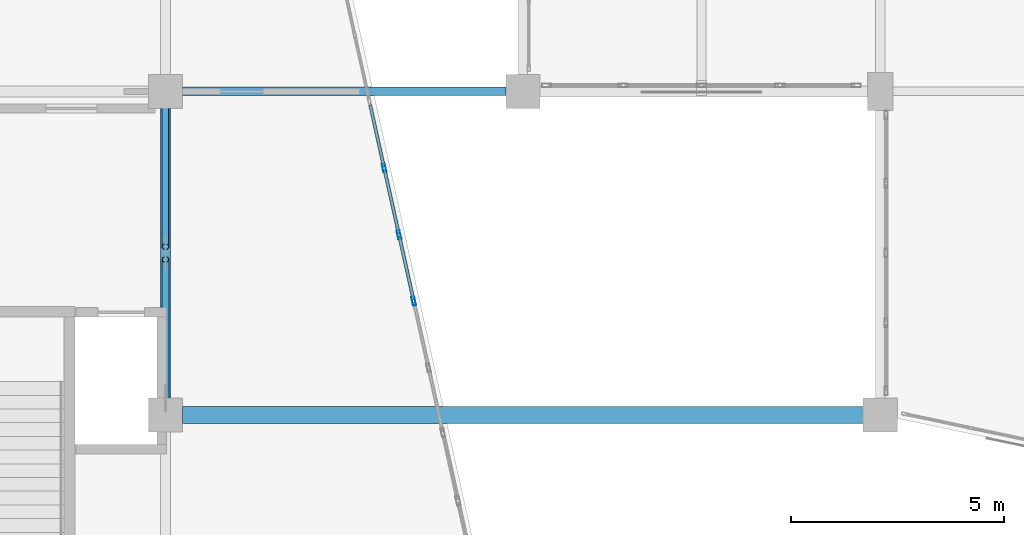
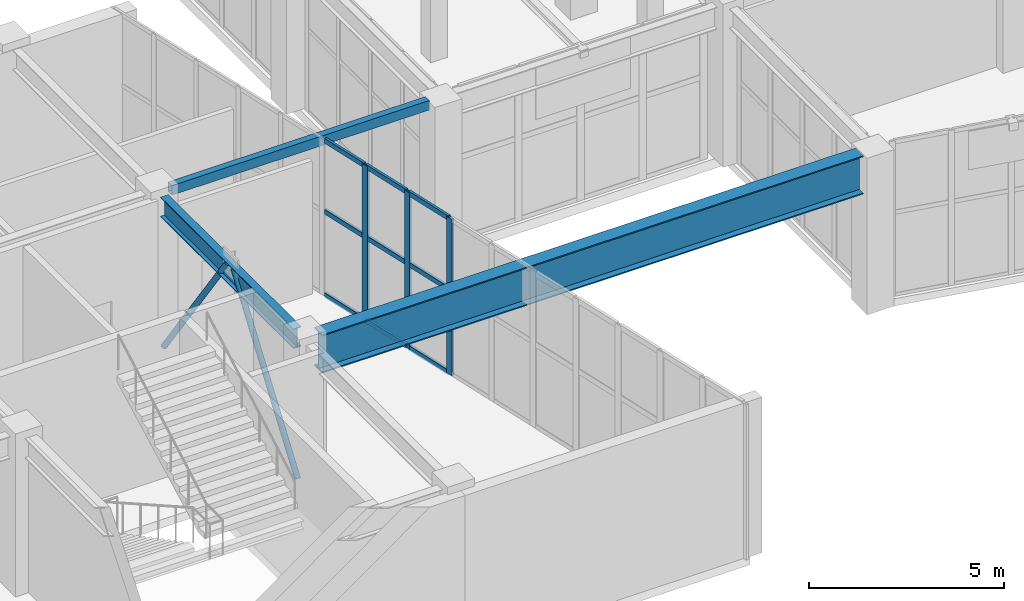
# One storey, part 11 of 128: 14 members, 3 beams, 1 element without a shape of its own.
"""IFC4 building model written with IfcOpenShell, lengths in metres."""

from ifc_helpers import new_model, si_unit, direction, frame, origin, origin_2d, place, context, subcontext, project, spatial, hollow_rectangle, hollow_circle, i_section, extrude, material, layer, layer_set, material_profile, profile_set, type_object, element, aggregate, save


model = new_model("IFC4")

# Units and contexts
model_context = context("Model", 3, precision=1e-05, world=origin(), true_north=direction((0.0, 1.0)))
body_context = subcontext(model_context, "Body", "Model", "MODEL_VIEW")
ifc_project = project(units=[si_unit("LENGTHUNIT", "METRE"), si_unit("AREAUNIT", "SQUARE_METRE"), si_unit("VOLUMEUNIT", "CUBIC_METRE"), si_unit("PLANEANGLEUNIT", "RADIAN"), si_unit("MASSUNIT", "GRAM", prefix="KILO")], contexts=[model_context])

# Site, building, storey
site_placement = place(None, origin())
site = spatial("IfcSite", under=ifc_project, at=site_placement, CompositionType="ELEMENT")
building_placement = place(site_placement, origin())
building = spatial("IfcBuilding", under=site, at=building_placement, Name="Xicomal Pleat Aquarium", CompositionType="ELEMENT")
storey_placement = place(building_placement, frame((0.0, 0.0, 5.39990234375)))
storey = spatial("IfcBuildingStorey", under=building, at=storey_placement, Name="L02", CompositionType="ELEMENT", Elevation=5.39990234375)

# Beams
ifc_material_1 = material(Name="Structural steel A992 Gr 50", Category="steel")
ifc_material_profile_1 = material_profile(ifc_material_1, i_section(OverallWidth=0.39990234375, OverallDepth=1.199951171875, WebThickness=0.02001953125, FlangeThickness=0.035888671875, at=origin_2d()), Name="IR 1200x412")
ifc_profile_set_1 = profile_set([ifc_material_profile_1], Name="Structural steel A992 Gr 50")
beam_type_1 = type_object("IfcBeamType", Name="BM-STL-IR1200", PredefinedType="BEAM", material=ifc_profile_set_1)
beam_1_placement = place(storey_placement, frame((35.794921875, 22.800048828125, 4.260009765625), z_axis=(1.0, 0.0, 0.0), x_axis=(0.0, 1.0, 0.0)))
element("IfcBeam", 1, at=beam_1_placement, inside=storey, type_object=beam_type_1, Name="L02 clear-span transfer girder FGX-L02-05-07-D", PredefinedType="BEAM", context=body_context, shape_type="SweptSolid", body=[
    extrude(i_section(OverallWidth=0.39990234375, OverallDepth=1.199951171875, WebThickness=0.02001953125, FlangeThickness=0.035888671875, at=origin_2d()), origin(), (0.0, 0.0, 1.0), 16.010009765625),
])
ifc_material_2 = material(Name="Structural steel A992 Gr 50", Category="steel")
ifc_material_profile_2 = material_profile(ifc_material_2, i_section(OverallWidth=0.22998046875, OverallDepth=0.616943359375, WebThickness=0.01318359375, FlangeThickness=0.022216796875, at=origin_2d()), Name="IR 610x140")
ifc_profile_set_2 = profile_set([ifc_material_profile_2], Name="Structural steel A992 Gr 50")
beam_type_2 = type_object("IfcBeamType", Name="BM-STL-IR610", PredefinedType="BEAM", material=ifc_profile_set_2)
beam_2_placement = place(storey_placement, frame((35.39990234375, 23.195068359375, 4.551513671875), z_axis=(0.0, 1.0, 0.0), x_axis=(-1.0, 0.0, 0.0)))
element("IfcBeam", 2, at=beam_2_placement, inside=storey, type_object=beam_type_2, Name="L02 framing beam FGY-L02-05-D-E", PredefinedType="BEAM", context=body_context, shape_type="SweptSolid", body=[
    extrude(i_section(OverallWidth=0.22998046875, OverallDepth=0.616943359375, WebThickness=0.01318359375, FlangeThickness=0.022216796875, at=origin_2d()), origin(), (0.0, 0.0, 1.0), 6.809814453125),
])
ifc_material_3 = material(Name="Structural steel A500 Gr C", Category="steel")
ifc_material_profile_3 = material_profile(ifc_material_3, hollow_rectangle(XDim=0.199951171875, YDim=0.300048828125, WallThickness=0.011962890625, at=origin_2d()), Name="OR 300x200x12")
ifc_profile_set_3 = profile_set([ifc_material_profile_3], Name="Structural steel A500 Gr C")
beam_type_3 = type_object("IfcBeamType", Name="BM-STL-OR300", PredefinedType="SPANDREL", material=ifc_profile_set_3)
beam_3_placement = place(storey_placement, frame((35.794921875, 30.39990234375, 4.710205078125), z_axis=(1.0, 0.0, 0.0), x_axis=(0.0, 1.0, 0.0)))
element("IfcBeam", 3, at=beam_3_placement, inside=storey, type_object=beam_type_3, Name="L02 framing beam FGX-L02-05-06-E", PredefinedType="SPANDREL", context=body_context, shape_type="SweptSolid", body=[
    extrude(hollow_rectangle(XDim=0.199951171875, YDim=0.300048828125, WallThickness=0.011962890625, at=origin_2d()), origin(), (0.0, 0.0, 1.0), 7.610107421875),
])

# Curtain wall, members
ifc_material_4 = material(Name="Bronze anodized aluminium 6063-T6", Category="aluminium")
ifc_layer = layer(ifc_material_4, 0.159912109375)
ifc_layer_set = layer_set([ifc_layer], Name="Bronze anodized aluminium 6063-T6")
curtain_wall_type = type_object("IfcCurtainWallType", Name="CW-SYS-07", PredefinedType="NOTDEFINED", material=ifc_layer_set)
curtain_wall_placement = place(storey_placement, origin())
curtain_wall = element("IfcCurtainWall", 4, at=curtain_wall_placement, inside=storey, type_object=curtain_wall_type, Name="L02 unitised curtain wall CW-L02-139", PredefinedType="NOTDEFINED")
ifc_material_5 = material(Name="Bronze anodized aluminium 6063-T6", Category="aluminium")
ifc_material_profile_4 = material_profile(ifc_material_5, hollow_rectangle(XDim=0.074951171875, YDim=0.199951171875, WallThickness=0.00439453125, at=origin_2d()), Name="ALU MULL 75x200")
ifc_profile_set_4 = profile_set([ifc_material_profile_4], Name="Bronze anodized aluminium 6063-T6")
member_type_1 = type_object("IfcMemberType", Name="CWM-75x200", PredefinedType="MULLION", material=ifc_profile_set_4)
member_1_placement = place(storey_placement, frame((40.542724609375, 28.59423828125, 0.0), z_axis=(0.0, 0.0, 1.0), x_axis=(0.976251689674, 0.216639420253, 0.0)))
member_1 = element("IfcMember", 5, at=member_1_placement, type_object=member_type_1, Name="CW-07 mullion 2", PredefinedType="MULLION", context=body_context, shape_type="SweptSolid", body=[
    extrude(hollow_rectangle(XDim=0.074951171875, YDim=0.199951171875, WallThickness=0.00439453125, at=origin_2d()), origin(), (0.0, 0.0, 1.0), 4.900146484375),
])
member_2_placement = place(storey_placement, frame((40.8896484375, 27.031494140625, 0.0), z_axis=(0.0, 0.0, 1.0), x_axis=(0.976251689674, 0.216639420253, 0.0)))
member_2 = element("IfcMember", 6, at=member_2_placement, type_object=member_type_1, Name="CW-07 mullion 3", PredefinedType="MULLION", context=body_context, shape_type="SweptSolid", body=[
    extrude(hollow_rectangle(XDim=0.074951171875, YDim=0.199951171875, WallThickness=0.00439453125, at=origin_2d()), origin(), (0.0, 0.0, 1.0), 4.900146484375),
])
member_3_placement = place(storey_placement, frame((41.236328125, 25.468505859375, 0.0), z_axis=(0.0, 0.0, 1.0), x_axis=(0.976251689674, 0.216639420253, 0.0)))
member_3 = element("IfcMember", 7, at=member_3_placement, type_object=member_type_1, Name="CW-07 mullion 4", PredefinedType="MULLION", context=body_context, shape_type="SweptSolid", body=[
    extrude(hollow_rectangle(XDim=0.074951171875, YDim=0.199951171875, WallThickness=0.00439453125, at=origin_2d()), origin(), (0.0, 0.0, 1.0), 4.900146484375),
])
ifc_material_6 = material(Name="Bronze anodized aluminium 6063-T6", Category="aluminium")
ifc_material_profile_5 = material_profile(ifc_material_6, hollow_rectangle(XDim=0.074951171875, YDim=0.14990234375, WallThickness=0.00439453125, at=origin_2d()), Name="ALU TRAN 75x150")
ifc_profile_set_5 = profile_set([ifc_material_profile_5], Name="Bronze anodized aluminium 6063-T6")
member_type_2 = type_object("IfcMemberType", Name="CWT-75x150", PredefinedType="USERDEFINED", material=ifc_profile_set_5)
member_4_placement = place(storey_placement, frame((40.212158203125, 30.083740234375, 0.03759765625), z_axis=(0.216704647644, -0.976237212817, 0.0), x_axis=(0.976237212817, 0.216704647644, 0.0)))
member_4 = element("IfcMember", 8, at=member_4_placement, type_object=member_type_2, Name="CW-07 transom 1.1", ObjectType="TRANSOM", PredefinedType="USERDEFINED", context=body_context, shape_type="SweptSolid", body=[
    extrude(hollow_rectangle(XDim=0.074951171875, YDim=0.14990234375, WallThickness=0.00439453125, at=origin_2d()), origin(), (0.0, 0.0, 1.0), 1.48828125),
])
member_5_placement = place(storey_placement, frame((40.212158203125, 30.083740234375, 2.64599609375), z_axis=(0.216704647644, -0.976237212817, 0.0), x_axis=(0.976237212817, 0.216704647644, 0.0)))
member_5 = element("IfcMember", 9, at=member_5_placement, type_object=member_type_2, Name="CW-07 transom 1.2", ObjectType="TRANSOM", PredefinedType="USERDEFINED", context=body_context, shape_type="SweptSolid", body=[
    extrude(hollow_rectangle(XDim=0.074951171875, YDim=0.14990234375, WallThickness=0.00439453125, at=origin_2d()), origin(), (0.0, 0.0, 1.0), 1.48828125),
])
member_6_placement = place(storey_placement, frame((40.212158203125, 30.083740234375, 4.862548828125), z_axis=(0.216704647644, -0.976237212817, 0.0), x_axis=(0.976237212817, 0.216704647644, 0.0)))
member_6 = element("IfcMember", 10, at=member_6_placement, type_object=member_type_2, Name="CW-07 transom 1.3", ObjectType="TRANSOM", PredefinedType="USERDEFINED", context=body_context, shape_type="SweptSolid", body=[
    extrude(hollow_rectangle(XDim=0.074951171875, YDim=0.14990234375, WallThickness=0.00439453125, at=origin_2d()), origin(), (0.0, 0.0, 1.0), 1.48828125),
])
member_7_placement = place(storey_placement, frame((40.55078125, 28.5576171875, 0.03759765625), z_axis=(0.216811861494, -0.976213407363, 0.0), x_axis=(0.976213407363, 0.216811861494, 0.0)))
member_7 = element("IfcMember", 11, at=member_7_placement, type_object=member_type_2, Name="CW-07 transom 2.1", ObjectType="TRANSOM", PredefinedType="USERDEFINED", context=body_context, shape_type="SweptSolid", body=[
    extrude(hollow_rectangle(XDim=0.074951171875, YDim=0.14990234375, WallThickness=0.00439453125, at=origin_2d()), origin(), (0.0, 0.0, 1.0), 1.52587890625),
])
member_8_placement = place(storey_placement, frame((40.55078125, 28.5576171875, 2.64599609375), z_axis=(0.216811861494, -0.976213407363, 0.0), x_axis=(0.976213407363, 0.216811861494, 0.0)))
member_8 = element("IfcMember", 12, at=member_8_placement, type_object=member_type_2, Name="CW-07 transom 2.2", ObjectType="TRANSOM", PredefinedType="USERDEFINED", context=body_context, shape_type="SweptSolid", body=[
    extrude(hollow_rectangle(XDim=0.074951171875, YDim=0.14990234375, WallThickness=0.00439453125, at=origin_2d()), origin(), (0.0, 0.0, 1.0), 1.52587890625),
])
member_9_placement = place(storey_placement, frame((40.55078125, 28.5576171875, 4.862548828125), z_axis=(0.216811861494, -0.976213407363, 0.0), x_axis=(0.976213407363, 0.216811861494, 0.0)))
member_9 = element("IfcMember", 13, at=member_9_placement, type_object=member_type_2, Name="CW-07 transom 2.3", ObjectType="TRANSOM", PredefinedType="USERDEFINED", context=body_context, shape_type="SweptSolid", body=[
    extrude(hollow_rectangle(XDim=0.074951171875, YDim=0.14990234375, WallThickness=0.00439453125, at=origin_2d()), origin(), (0.0, 0.0, 1.0), 1.52587890625),
])
member_10_placement = place(storey_placement, frame((40.897705078125, 26.994873046875, 0.03759765625), z_axis=(0.216625526432, -0.97625477274, 0.0), x_axis=(0.97625477274, 0.216625526432, 0.0)))
member_10 = element("IfcMember", 14, at=member_10_placement, type_object=member_type_2, Name="CW-07 transom 3.1", ObjectType="TRANSOM", PredefinedType="USERDEFINED", context=body_context, shape_type="SweptSolid", body=[
    extrude(hollow_rectangle(XDim=0.074951171875, YDim=0.14990234375, WallThickness=0.00439453125, at=origin_2d()), origin(), (0.0, 0.0, 1.0), 1.52587890625),
])
member_11_placement = place(storey_placement, frame((40.897705078125, 26.994873046875, 2.64599609375), z_axis=(0.216625526432, -0.97625477274, 0.0), x_axis=(0.97625477274, 0.216625526432, 0.0)))
member_11 = element("IfcMember", 15, at=member_11_placement, type_object=member_type_2, Name="CW-07 transom 3.2", ObjectType="TRANSOM", PredefinedType="USERDEFINED", context=body_context, shape_type="SweptSolid", body=[
    extrude(hollow_rectangle(XDim=0.074951171875, YDim=0.14990234375, WallThickness=0.00439453125, at=origin_2d()), origin(), (0.0, 0.0, 1.0), 1.52587890625),
])
member_12_placement = place(storey_placement, frame((40.897705078125, 26.994873046875, 4.862548828125), z_axis=(0.216625526432, -0.97625477274, 0.0), x_axis=(0.97625477274, 0.216625526432, 0.0)))
member_12 = element("IfcMember", 16, at=member_12_placement, type_object=member_type_2, Name="CW-07 transom 3.3", ObjectType="TRANSOM", PredefinedType="USERDEFINED", context=body_context, shape_type="SweptSolid", body=[
    extrude(hollow_rectangle(XDim=0.074951171875, YDim=0.14990234375, WallThickness=0.00439453125, at=origin_2d()), origin(), (0.0, 0.0, 1.0), 1.52587890625),
])
aggregate(curtain_wall, [member_1, member_2, member_3, member_4, member_5, member_6, member_7, member_8, member_9, member_10, member_11, member_12])

# Members
ifc_material_7 = material(Name="Structural steel A500 Gr C", Category="steel")
ifc_material_profile_6 = material_profile(ifc_material_7, hollow_circle(Radius=0.083984375, WallThickness=0.010009765625, at=origin_2d()), Name="OC 168x10")
ifc_profile_set_6 = profile_set([ifc_material_profile_6], Name="Structural steel A500 Gr C")
member_type_3 = type_object("IfcMemberType", Name="MEM-BR-OC168", PredefinedType="BRACE", material=ifc_profile_set_6)
for number, where, z_axis, x_axis, name in (
    (17, (35.39990234375, 23.179931640625, 0.150146484375), (0.0, 0.579407582013, 0.815037946298), (-1.0, 0.0, 0.0), "L02 chevron brace 13A"),
    (18, (35.39990234375, 30.02001953125, 0.150146484375), (0.0, -0.579407582013, 0.815037946298), (1.0, 0.0, 0.0), "L02 chevron brace 13B"),
):
    element("IfcMember", number, at=place(storey_placement, frame(where, z_axis=z_axis, x_axis=x_axis)), inside=storey, type_object=member_type_3, Name=name, PredefinedType="BRACE", context=body_context, shape_type="SweptSolid", body=[
        extrude(hollow_circle(Radius=0.083984375, WallThickness=0.010009765625, at=origin_2d()), origin(), (0.0, 0.0, 1.0), 5.643798828125),
    ])

save(model, "model.ifc")
